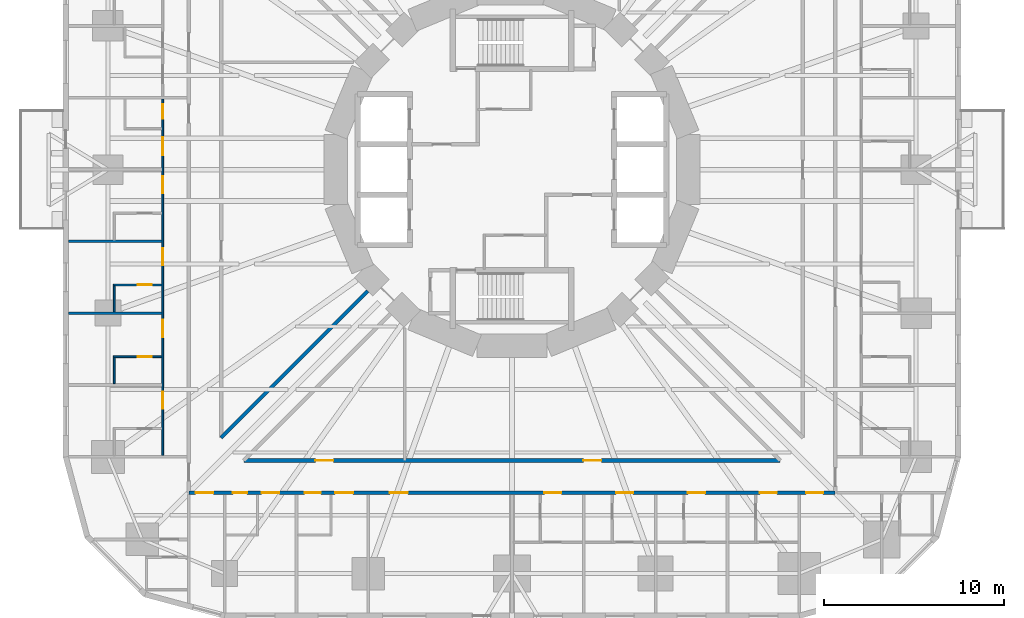
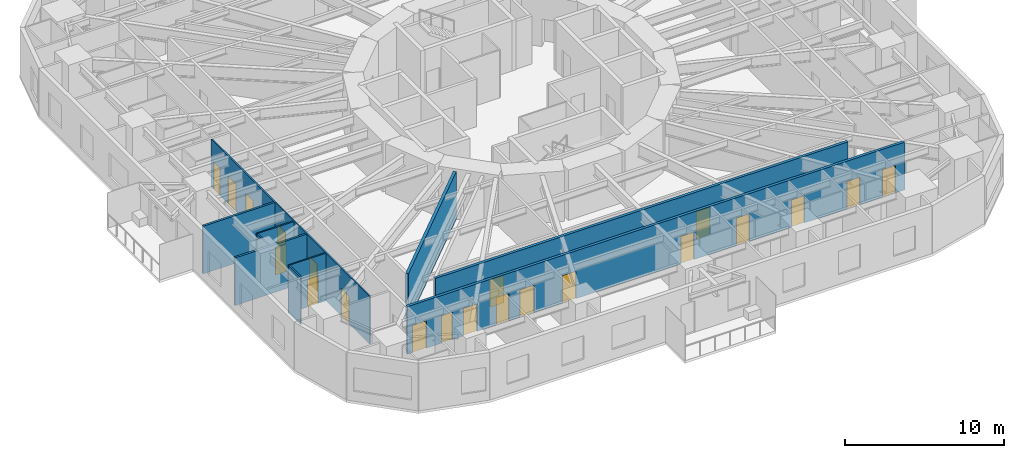
# One storey, part 5 of 14: 21 doors, 10 walls, 21 openings.
"""IFC4 building model written with IfcOpenShell, lengths in metres."""

from ifc_helpers import new_model, si_unit, direction, frame, frame_2d, origin, place, context, subcontext, project, spatial, rectangle, extrude, material, layer, layer_set, type_object, element, fill, save


model = new_model("IFC4")

# Units and contexts
model_context = context("Model", 3, precision=1e-05, world=origin(), true_north=direction((0.0, 1.0)))
body_context = subcontext(model_context, "Body", "Model", "MODEL_VIEW")
ifc_project = project(units=[si_unit("LENGTHUNIT", "METRE"), si_unit("AREAUNIT", "SQUARE_METRE"), si_unit("VOLUMEUNIT", "CUBIC_METRE"), si_unit("PLANEANGLEUNIT", "RADIAN"), si_unit("MASSUNIT", "GRAM", prefix="KILO")], contexts=[model_context])

# Site, building, storey
site_placement = place(None, origin())
site = spatial("IfcSite", under=ifc_project, at=site_placement, CompositionType="ELEMENT")
building_placement = place(site_placement, origin())
building = spatial("IfcBuilding", under=site, at=building_placement, Name="Nakasero Lantern House", CompositionType="ELEMENT")
storey_placement = place(building_placement, frame((0.0, 0.0, 23.699951171875)))
storey = spatial("IfcBuildingStorey", under=building, at=storey_placement, Name="L05", CompositionType="ELEMENT", Elevation=23.699951171875)

# Wall, openings, doors
ifc_material_1 = material(Name="Blockwork", Category="masonry")
ifc_layer_1 = layer(ifc_material_1, 0.10009765625)
ifc_layer_set_1 = layer_set([ifc_layer_1], Name="Cluster hall wall 100")
wall_type_1 = type_object("IfcWallType", Name="Cluster hall wall 100", PredefinedType="PARTITIONING", material=ifc_layer_set_1)
wall_1_placement = place(storey_placement, frame((-19.449951171875, 3.925048828125, 0.0), z_axis=(0.0, 0.0, 1.0), x_axis=(0.0, -1.0, 0.0)))
wall_1 = element("IfcWall", 1, at=wall_1_placement, inside=storey, type_object=wall_type_1, Name="Cluster hall wall L05 HW2-1", PredefinedType="PARTITIONING", context=body_context, shape_type="SweptSolid", body=[
    extrude(rectangle(XDim=19.85009765625, YDim=0.10009765625, at=frame_2d((9.925048828125, 0.0))), origin(), (0.0, 0.0, 1.0), 3.650146484375),
])
opening_1_placement = place(wall_1_placement, frame((2.125, 0.0, 0.0)))
opening_1 = element("IfcOpeningElement", 2, at=opening_1_placement, cuts=wall_1, Name="Opening D03", PredefinedType="OPENING", context=body_context, shape_type="SweptSolid", body=[
    extrude(rectangle(XDim=1.0, YDim=2.10009765625, at=frame_2d((0.5, 1.050048828125))), frame((0.0, 0.070068359375, 0.0), z_axis=(0.0, -1.0, 0.0), x_axis=(1.0, 0.0, 0.0)), (0.0, 0.0, 1.0), 0.14013671875),
])
opening_2_placement = place(wall_1_placement, frame((0.300048828125, 0.0, 0.0)))
opening_2 = element("IfcOpeningElement", 3, at=opening_2_placement, cuts=wall_1, Name="Opening D02", PredefinedType="OPENING", context=body_context, shape_type="SweptSolid", body=[
    extrude(rectangle(XDim=0.800048828125, YDim=2.10009765625, at=frame_2d((0.39990234375, 1.050048828125))), frame((0.0, 0.070068359375, 0.0), z_axis=(0.0, -1.0, 0.0), x_axis=(1.0, 0.0, 0.0)), (0.0, 0.0, 1.0), 0.14013671875),
])
opening_3_placement = place(wall_1_placement, frame((4.300048828125, 0.0, 0.0)))
opening_3 = element("IfcOpeningElement", 4, at=opening_3_placement, cuts=wall_1, Name="Opening D01", PredefinedType="OPENING", context=body_context, shape_type="SweptSolid", body=[
    extrude(rectangle(XDim=0.949951171875, YDim=2.10009765625, at=frame_2d((0.47509765625, 1.050048828125))), frame((0.0, 0.070068359375, 0.0), z_axis=(0.0, -1.0, 0.0), x_axis=(1.0, 0.0, 0.0)), (0.0, 0.0, 1.0), 0.14013671875),
])
opening_4_placement = place(wall_1_placement, frame((8.300048828125, 0.0, 0.0)))
opening_4 = element("IfcOpeningElement", 5, at=opening_4_placement, cuts=wall_1, Name="Opening D01", PredefinedType="OPENING", context=body_context, shape_type="SweptSolid", body=[
    extrude(rectangle(XDim=0.949951171875, YDim=2.10009765625, at=frame_2d((0.47509765625, 1.050048828125))), frame((0.0, 0.070068359375, 0.0), z_axis=(0.0, -1.0, 0.0), x_axis=(1.0, 0.0, 0.0)), (0.0, 0.0, 1.0), 0.14013671875),
])
opening_5_placement = place(wall_1_placement, frame((12.300048828125, 0.0, 0.0)))
opening_5 = element("IfcOpeningElement", 6, at=opening_5_placement, cuts=wall_1, Name="Opening D01", PredefinedType="OPENING", context=body_context, shape_type="SweptSolid", body=[
    extrude(rectangle(XDim=0.949951171875, YDim=2.10009765625, at=frame_2d((0.47509765625, 1.050048828125))), frame((0.0, 0.070068359375, 0.0), z_axis=(0.0, -1.0, 0.0), x_axis=(1.0, 0.0, 0.0)), (0.0, 0.0, 1.0), 0.14013671875),
])
opening_6_placement = place(wall_1_placement, frame((16.300048828125, 0.0, 0.0)))
opening_6 = element("IfcOpeningElement", 7, at=opening_6_placement, cuts=wall_1, Name="Opening D01", PredefinedType="OPENING", context=body_context, shape_type="SweptSolid", body=[
    extrude(rectangle(XDim=0.949951171875, YDim=2.10009765625, at=frame_2d((0.47509765625, 1.050048828125))), frame((0.0, 0.070068359375, 0.0), z_axis=(0.0, -1.0, 0.0), x_axis=(1.0, 0.0, 0.0)), (0.0, 0.0, 1.0), 0.14013671875),
])
ifc_material_2 = material(Name="Timber C24", Category="wood")
door_type_1 = type_object("IfcDoorType", Name="Bedroom door FD30S 950", OperationType="SINGLE_SWING_LEFT", PredefinedType="DOOR", material=ifc_material_2)
door_1_placement = place(opening_3_placement, origin())
door_1 = element("IfcDoor", 8, at=door_1_placement, inside=storey, type_object=door_type_1, Name="Door L05 D2-05", OperationType="SINGLE_SWING_LEFT", OverallHeight=2.10009765625, OverallWidth=0.949951171875, PredefinedType="DOOR", context=body_context, shape_type="SweptSolid", body=[
    extrude(rectangle(XDim=0.949951171875, YDim=2.10009765625, at=frame_2d((0.47509765625, 1.050048828125))), frame((0.0, 0.02490234375, 0.0), z_axis=(0.0, -1.0, 0.0), x_axis=(1.0, 0.0, 0.0)), (0.0, 0.0, 1.0), 0.050048828125),
])
fill(opening_3, door_1)
door_2_placement = place(opening_4_placement, origin())
door_2 = element("IfcDoor", 9, at=door_2_placement, inside=storey, type_object=door_type_1, Name="Door L05 D2-06", OperationType="SINGLE_SWING_LEFT", OverallHeight=2.10009765625, OverallWidth=0.949951171875, PredefinedType="DOOR", context=body_context, shape_type="SweptSolid", body=[
    extrude(rectangle(XDim=0.949951171875, YDim=2.10009765625, at=frame_2d((0.47509765625, 1.050048828125))), frame((0.0, 0.02490234375, 0.0), z_axis=(0.0, -1.0, 0.0), x_axis=(1.0, 0.0, 0.0)), (0.0, 0.0, 1.0), 0.050048828125),
])
fill(opening_4, door_2)
door_3_placement = place(opening_5_placement, origin())
door_3 = element("IfcDoor", 10, at=door_3_placement, inside=storey, type_object=door_type_1, Name="Door L05 D2-07", OperationType="SINGLE_SWING_RIGHT", OverallHeight=2.10009765625, OverallWidth=0.949951171875, PredefinedType="DOOR", context=body_context, shape_type="SweptSolid", body=[
    extrude(rectangle(XDim=0.949951171875, YDim=2.10009765625, at=frame_2d((0.47509765625, 1.050048828125))), frame((0.0, 0.02490234375, 0.0), z_axis=(0.0, -1.0, 0.0), x_axis=(1.0, 0.0, 0.0)), (0.0, 0.0, 1.0), 0.050048828125),
])
fill(opening_5, door_3)
door_4_placement = place(opening_6_placement, origin())
door_4 = element("IfcDoor", 11, at=door_4_placement, inside=storey, type_object=door_type_1, Name="Door L05 D2-08", OperationType="SINGLE_SWING_RIGHT", OverallHeight=2.10009765625, OverallWidth=0.949951171875, PredefinedType="DOOR", context=body_context, shape_type="SweptSolid", body=[
    extrude(rectangle(XDim=0.949951171875, YDim=2.10009765625, at=frame_2d((0.47509765625, 1.050048828125))), frame((0.0, 0.02490234375, 0.0), z_axis=(0.0, -1.0, 0.0), x_axis=(1.0, 0.0, 0.0)), (0.0, 0.0, 1.0), 0.050048828125),
])
fill(opening_6, door_4)
ifc_material_3 = material(Name="Timber C24", Category="wood")
door_type_2 = type_object("IfcDoorType", Name="En-suite door 800", OperationType="SINGLE_SWING_RIGHT", PredefinedType="DOOR", material=ifc_material_3)
door_5_placement = place(opening_2_placement, origin())
door_5 = element("IfcDoor", 12, at=door_5_placement, inside=storey, type_object=door_type_2, Name="Door L05 DSH2-1", OperationType="SINGLE_SWING_LEFT", OverallHeight=2.10009765625, OverallWidth=0.800048828125, PredefinedType="DOOR", context=body_context, shape_type="SweptSolid", body=[
    extrude(rectangle(XDim=0.800048828125, YDim=2.10009765625, at=frame_2d((0.39990234375, 1.050048828125))), frame((0.0, 0.02490234375, 0.0), z_axis=(0.0, -1.0, 0.0), x_axis=(1.0, 0.0, 0.0)), (0.0, 0.0, 1.0), 0.050048828125),
])
fill(opening_2, door_5)
ifc_material_4 = material(Name="Timber C24", Category="wood")
door_type_3 = type_object("IfcDoorType", Name="Lounge door FD30S 1000", OperationType="SINGLE_SWING_LEFT", PredefinedType="DOOR", material=ifc_material_4)
door_6_placement = place(opening_1_placement, origin())
door_6 = element("IfcDoor", 13, at=door_6_placement, inside=storey, type_object=door_type_3, Name="Door L05 DH2-1", OperationType="SINGLE_SWING_LEFT", OverallHeight=2.10009765625, OverallWidth=1.0, PredefinedType="DOOR", context=body_context, shape_type="SweptSolid", body=[
    extrude(rectangle(XDim=1.0, YDim=2.10009765625, at=frame_2d((0.5, 1.050048828125))), frame((0.0, 0.02490234375, 0.0), z_axis=(0.0, -1.0, 0.0), x_axis=(1.0, 0.0, 0.0)), (0.0, 0.0, 1.0), 0.050048828125),
])
fill(opening_1, door_6)

ifc_material_5 = material(Name="Blockwork", Category="masonry")
ifc_layer_2 = layer(ifc_material_5, 0.199951171875)
ifc_layer_set_2 = layer_set([ifc_layer_2], Name="Corridor wall 200")
wall_type_2 = type_object("IfcWallType", Name="Corridor wall 200", PredefinedType="PARTITIONING", material=ifc_layer_set_2)
wall_2_placement = place(storey_placement, frame((-18.0, -18.0, 0.0), z_axis=(0.0, 0.0, 1.0), x_axis=(1.0, 0.0, 0.0)))
wall_2 = element("IfcWall", 14, at=wall_2_placement, inside=storey, type_object=wall_type_2, Name="Corridor wall L05 CW3", PredefinedType="PARTITIONING", context=body_context, shape_type="SweptSolid", body=[
    extrude(rectangle(XDim=36.0, YDim=0.199951171875, at=frame_2d((18.0, 0.0))), origin(), (0.0, 0.0, 1.0), 3.650146484375),
])
opening_7_placement = place(wall_2_placement, frame((0.375, 0.0, 0.0)))
opening_7 = element("IfcOpeningElement", 15, at=opening_7_placement, cuts=wall_2, Name="Opening D07", PredefinedType="OPENING", context=body_context, shape_type="SweptSolid", body=[
    extrude(rectangle(XDim=1.0, YDim=2.10009765625, at=frame_2d((0.5, 1.050048828125))), frame((0.0, 0.119873046875, 0.0), z_axis=(0.0, -1.0, 0.0), x_axis=(1.0, 0.0, 0.0)), (0.0, 0.0, 1.0), 0.239990234375),
])
opening_8_placement = place(wall_2_placement, frame((2.449951171875, 0.0, 0.0)))
opening_8 = element("IfcOpeningElement", 16, at=opening_8_placement, cuts=wall_2, Name="Opening D15", PredefinedType="OPENING", context=body_context, shape_type="SweptSolid", body=[
    extrude(rectangle(XDim=0.800048828125, YDim=2.10009765625, at=frame_2d((0.39990234375, 1.050048828125))), frame((0.0, 0.119873046875, 0.0), z_axis=(0.0, -1.0, 0.0), x_axis=(1.0, 0.0, 0.0)), (0.0, 0.0, 1.0), 0.239990234375),
])
opening_9_placement = place(wall_2_placement, frame((4.050048828125, 0.0, 0.0)))
opening_9 = element("IfcOpeningElement", 17, at=opening_9_placement, cuts=wall_2, Name="Opening D07", PredefinedType="OPENING", context=body_context, shape_type="SweptSolid", body=[
    extrude(rectangle(XDim=1.0, YDim=2.10009765625, at=frame_2d((0.5, 1.050048828125))), frame((0.0, 0.119873046875, 0.0), z_axis=(0.0, -1.0, 0.0), x_axis=(1.0, 0.0, 0.0)), (0.0, 0.0, 1.0), 0.239990234375),
])
opening_10_placement = place(wall_2_placement, frame((6.449951171875, 0.0, 0.0)))
opening_10 = element("IfcOpeningElement", 18, at=opening_10_placement, cuts=wall_2, Name="Opening D16", PredefinedType="OPENING", context=body_context, shape_type="SweptSolid", body=[
    extrude(rectangle(XDim=0.89990234375, YDim=2.10009765625, at=frame_2d((0.449951171875, 1.050048828125))), frame((0.0, 0.119873046875, 0.0), z_axis=(0.0, -1.0, 0.0), x_axis=(1.0, 0.0, 0.0)), (0.0, 0.0, 1.0), 0.239990234375),
])
opening_11_placement = place(wall_2_placement, frame((8.14990234375, 0.0, 0.0)))
opening_11 = element("IfcOpeningElement", 19, at=opening_11_placement, cuts=wall_2, Name="Opening D07", PredefinedType="OPENING", context=body_context, shape_type="SweptSolid", body=[
    extrude(rectangle(XDim=1.0, YDim=2.10009765625, at=frame_2d((0.5, 1.050048828125))), frame((0.0, 0.119873046875, 0.0), z_axis=(0.0, -1.0, 0.0), x_axis=(1.0, 0.0, 0.0)), (0.0, 0.0, 1.0), 0.239990234375),
])
opening_12_placement = place(wall_2_placement, frame((19.800048828125, 0.0, 0.0)))
opening_12 = element("IfcOpeningElement", 20, at=opening_12_placement, cuts=wall_2, Name="Opening D01", PredefinedType="OPENING", context=body_context, shape_type="SweptSolid", body=[
    extrude(rectangle(XDim=0.949951171875, YDim=2.10009765625, at=frame_2d((0.47509765625, 1.050048828125))), frame((0.0, 0.119873046875, 0.0), z_axis=(0.0, -1.0, 0.0), x_axis=(1.0, 0.0, 0.0)), (0.0, 0.0, 1.0), 0.239990234375),
])
opening_13_placement = place(wall_2_placement, frame((23.800048828125, 0.0, 0.0)))
opening_13 = element("IfcOpeningElement", 21, at=opening_13_placement, cuts=wall_2, Name="Opening D01", PredefinedType="OPENING", context=body_context, shape_type="SweptSolid", body=[
    extrude(rectangle(XDim=0.949951171875, YDim=2.10009765625, at=frame_2d((0.47509765625, 1.050048828125))), frame((0.0, 0.119873046875, 0.0), z_axis=(0.0, -1.0, 0.0), x_axis=(1.0, 0.0, 0.0)), (0.0, 0.0, 1.0), 0.239990234375),
])
opening_14_placement = place(wall_2_placement, frame((27.800048828125, 0.0, 0.0)))
opening_14 = element("IfcOpeningElement", 22, at=opening_14_placement, cuts=wall_2, Name="Opening D01", PredefinedType="OPENING", context=body_context, shape_type="SweptSolid", body=[
    extrude(rectangle(XDim=0.949951171875, YDim=2.10009765625, at=frame_2d((0.47509765625, 1.050048828125))), frame((0.0, 0.119873046875, 0.0), z_axis=(0.0, -1.0, 0.0), x_axis=(1.0, 0.0, 0.0)), (0.0, 0.0, 1.0), 0.239990234375),
])
opening_15_placement = place(wall_2_placement, frame((31.800048828125, 0.0, 0.0)))
opening_15 = element("IfcOpeningElement", 23, at=opening_15_placement, cuts=wall_2, Name="Opening D01", PredefinedType="OPENING", context=body_context, shape_type="SweptSolid", body=[
    extrude(rectangle(XDim=0.949951171875, YDim=2.10009765625, at=frame_2d((0.47509765625, 1.050048828125))), frame((0.0, 0.119873046875, 0.0), z_axis=(0.0, -1.0, 0.0), x_axis=(1.0, 0.0, 0.0)), (0.0, 0.0, 1.0), 0.239990234375),
])
opening_16_placement = place(wall_2_placement, frame((34.375, 0.0, 0.0)))
opening_16 = element("IfcOpeningElement", 24, at=opening_16_placement, cuts=wall_2, Name="Opening D01", PredefinedType="OPENING", context=body_context, shape_type="SweptSolid", body=[
    extrude(rectangle(XDim=0.949951171875, YDim=2.10009765625, at=frame_2d((0.47509765625, 1.050048828125))), frame((0.0, 0.119873046875, 0.0), z_axis=(0.0, -1.0, 0.0), x_axis=(1.0, 0.0, 0.0)), (0.0, 0.0, 1.0), 0.239990234375),
])
opening_17_placement = place(wall_2_placement, frame((11.199951171875, 0.0, 0.0)))
opening_17 = element("IfcOpeningElement", 25, at=opening_17_placement, cuts=wall_2, Name="Opening D03", PredefinedType="OPENING", context=body_context, shape_type="SweptSolid", body=[
    extrude(rectangle(XDim=1.0, YDim=2.10009765625, at=frame_2d((0.5, 1.050048828125))), frame((0.0, 0.119873046875, 0.0), z_axis=(0.0, -1.0, 0.0), x_axis=(1.0, 0.0, 0.0)), (0.0, 0.0, 1.0), 0.239990234375),
])
ifc_material_6 = material(Name="Timber C24", Category="wood")
door_type_4 = type_object("IfcDoorType", Name="Accessible WC door 900", OperationType="SINGLE_SWING_RIGHT", PredefinedType="DOOR", material=ifc_material_6)
door_7_placement = place(opening_10_placement, origin())
door_7 = element("IfcDoor", 26, at=door_7_placement, inside=storey, type_object=door_type_4, Name="Door L05 DS3-02", OperationType="SINGLE_SWING_LEFT", OverallHeight=2.10009765625, OverallWidth=0.89990234375, PredefinedType="DOOR", context=body_context, shape_type="SweptSolid", body=[
    extrude(rectangle(XDim=0.89990234375, YDim=2.10009765625, at=frame_2d((0.449951171875, 1.050048828125))), frame((0.0, 0.02490234375, 0.0), z_axis=(0.0, -1.0, 0.0), x_axis=(1.0, 0.0, 0.0)), (0.0, 0.0, 1.0), 0.050048828125),
])
fill(opening_10, door_7)
door_8_placement = place(opening_12_placement, origin())
door_8 = element("IfcDoor", 27, at=door_8_placement, inside=storey, type_object=door_type_1, Name="Door L05 D3-05", OperationType="SINGLE_SWING_RIGHT", OverallHeight=2.10009765625, OverallWidth=0.949951171875, PredefinedType="DOOR", context=body_context, shape_type="SweptSolid", body=[
    extrude(rectangle(XDim=0.949951171875, YDim=2.10009765625, at=frame_2d((0.47509765625, 1.050048828125))), frame((0.0, 0.02490234375, 0.0), z_axis=(0.0, -1.0, 0.0), x_axis=(1.0, 0.0, 0.0)), (0.0, 0.0, 1.0), 0.050048828125),
])
fill(opening_12, door_8)
door_9_placement = place(opening_13_placement, origin())
door_9 = element("IfcDoor", 28, at=door_9_placement, inside=storey, type_object=door_type_1, Name="Door L05 D3-06", OperationType="SINGLE_SWING_RIGHT", OverallHeight=2.10009765625, OverallWidth=0.949951171875, PredefinedType="DOOR", context=body_context, shape_type="SweptSolid", body=[
    extrude(rectangle(XDim=0.949951171875, YDim=2.10009765625, at=frame_2d((0.47509765625, 1.050048828125))), frame((0.0, 0.02490234375, 0.0), z_axis=(0.0, -1.0, 0.0), x_axis=(1.0, 0.0, 0.0)), (0.0, 0.0, 1.0), 0.050048828125),
])
fill(opening_13, door_9)
door_10_placement = place(opening_14_placement, origin())
door_10 = element("IfcDoor", 29, at=door_10_placement, inside=storey, type_object=door_type_1, Name="Door L05 D3-07", OperationType="SINGLE_SWING_RIGHT", OverallHeight=2.10009765625, OverallWidth=0.949951171875, PredefinedType="DOOR", context=body_context, shape_type="SweptSolid", body=[
    extrude(rectangle(XDim=0.949951171875, YDim=2.10009765625, at=frame_2d((0.47509765625, 1.050048828125))), frame((0.0, 0.02490234375, 0.0), z_axis=(0.0, -1.0, 0.0), x_axis=(1.0, 0.0, 0.0)), (0.0, 0.0, 1.0), 0.050048828125),
])
fill(opening_14, door_10)
door_11_placement = place(opening_15_placement, origin())
door_11 = element("IfcDoor", 30, at=door_11_placement, inside=storey, type_object=door_type_1, Name="Door L05 D3-08", OperationType="SINGLE_SWING_RIGHT", OverallHeight=2.10009765625, OverallWidth=0.949951171875, PredefinedType="DOOR", context=body_context, shape_type="SweptSolid", body=[
    extrude(rectangle(XDim=0.949951171875, YDim=2.10009765625, at=frame_2d((0.47509765625, 1.050048828125))), frame((0.0, 0.02490234375, 0.0), z_axis=(0.0, -1.0, 0.0), x_axis=(1.0, 0.0, 0.0)), (0.0, 0.0, 1.0), 0.050048828125),
])
fill(opening_15, door_11)
door_12_placement = place(opening_16_placement, origin())
door_12 = element("IfcDoor", 31, at=door_12_placement, inside=storey, type_object=door_type_1, Name="Door L05 D3-09", OperationType="SINGLE_SWING_RIGHT", OverallHeight=2.10009765625, OverallWidth=0.949951171875, PredefinedType="DOOR", context=body_context, shape_type="SweptSolid", body=[
    extrude(rectangle(XDim=0.949951171875, YDim=2.10009765625, at=frame_2d((0.47509765625, 1.050048828125))), frame((0.0, 0.02490234375, 0.0), z_axis=(0.0, -1.0, 0.0), x_axis=(1.0, 0.0, 0.0)), (0.0, 0.0, 1.0), 0.050048828125),
])
fill(opening_16, door_12)
ifc_material_7 = material(Name="Timber C24", Category="wood")
door_type_5 = type_object("IfcDoorType", Name="Cleaner's store door FD30S 800", OperationType="SINGLE_SWING_LEFT", PredefinedType="DOOR", material=ifc_material_7)
door_13_placement = place(opening_8_placement, origin())
door_13 = element("IfcDoor", 32, at=door_13_placement, inside=storey, type_object=door_type_5, Name="Door L05 DS3-01", OperationType="SINGLE_SWING_LEFT", OverallHeight=2.10009765625, OverallWidth=0.800048828125, PredefinedType="DOOR", context=body_context, shape_type="SweptSolid", body=[
    extrude(rectangle(XDim=0.800048828125, YDim=2.10009765625, at=frame_2d((0.39990234375, 1.050048828125))), frame((0.0, 0.02490234375, 0.0), z_axis=(0.0, -1.0, 0.0), x_axis=(1.0, 0.0, 0.0)), (0.0, 0.0, 1.0), 0.050048828125),
])
fill(opening_8, door_13)
door_14_placement = place(opening_17_placement, origin())
door_14 = element("IfcDoor", 33, at=door_14_placement, inside=storey, type_object=door_type_3, Name="Door L05 DK3", OperationType="SINGLE_SWING_LEFT", OverallHeight=2.10009765625, OverallWidth=1.0, PredefinedType="DOOR", context=body_context, shape_type="SweptSolid", body=[
    extrude(rectangle(XDim=1.0, YDim=2.10009765625, at=frame_2d((0.5, 1.050048828125))), frame((0.0, 0.02490234375, 0.0), z_axis=(0.0, -1.0, 0.0), x_axis=(1.0, 0.0, 0.0)), (0.0, 0.0, 1.0), 0.050048828125),
])
fill(opening_17, door_14)
ifc_material_8 = material(Name="Timber C24", Category="wood")
door_type_6 = type_object("IfcDoorType", Name="Room door FD30S 1000", OperationType="SINGLE_SWING_LEFT", PredefinedType="DOOR", material=ifc_material_8)
door_15_placement = place(opening_7_placement, origin())
door_15 = element("IfcDoor", 34, at=door_15_placement, inside=storey, type_object=door_type_6, Name="Door L05 D3-00", OperationType="SINGLE_SWING_LEFT", OverallHeight=2.10009765625, OverallWidth=1.0, PredefinedType="DOOR", context=body_context, shape_type="SweptSolid", body=[
    extrude(rectangle(XDim=1.0, YDim=2.10009765625, at=frame_2d((0.5, 1.050048828125))), frame((0.0, 0.02490234375, 0.0), z_axis=(0.0, -1.0, 0.0), x_axis=(1.0, 0.0, 0.0)), (0.0, 0.0, 1.0), 0.050048828125),
])
fill(opening_7, door_15)
door_16_placement = place(opening_9_placement, origin())
door_16 = element("IfcDoor", 35, at=door_16_placement, inside=storey, type_object=door_type_6, Name="Door L05 D3-01", OperationType="SINGLE_SWING_LEFT", OverallHeight=2.10009765625, OverallWidth=1.0, PredefinedType="DOOR", context=body_context, shape_type="SweptSolid", body=[
    extrude(rectangle(XDim=1.0, YDim=2.10009765625, at=frame_2d((0.5, 1.050048828125))), frame((0.0, 0.02490234375, 0.0), z_axis=(0.0, -1.0, 0.0), x_axis=(1.0, 0.0, 0.0)), (0.0, 0.0, 1.0), 0.050048828125),
])
fill(opening_9, door_16)
door_17_placement = place(opening_11_placement, origin())
door_17 = element("IfcDoor", 36, at=door_17_placement, inside=storey, type_object=door_type_6, Name="Door L05 D3-02", OperationType="SINGLE_SWING_LEFT", OverallHeight=2.10009765625, OverallWidth=1.0, PredefinedType="DOOR", context=body_context, shape_type="SweptSolid", body=[
    extrude(rectangle(XDim=1.0, YDim=2.10009765625, at=frame_2d((0.5, 1.050048828125))), frame((0.0, 0.02490234375, 0.0), z_axis=(0.0, -1.0, 0.0), x_axis=(1.0, 0.0, 0.0)), (0.0, 0.0, 1.0), 0.050048828125),
])
fill(opening_11, door_17)

wall_3_placement = place(storey_placement, frame((-14.92724609375, -16.199951171875, 0.0), z_axis=(0.0, 0.0, 1.0), x_axis=(1.0, 0.0, 0.0)))
wall_3 = element("IfcWall", 37, at=wall_3_placement, inside=storey, type_object=wall_type_2, Name="Corridor wall L05 IW3-0", PredefinedType="PARTITIONING", context=body_context, shape_type="SweptSolid", body=[
    extrude(rectangle(XDim=29.8544921875, YDim=0.199951171875, at=frame_2d((14.92724609375, 0.0))), origin(), (0.0, 0.0, 1.0), 3.650146484375),
])
opening_18_placement = place(wall_3_placement, frame((3.978271484375, 0.0, 0.0)))
opening_18 = element("IfcOpeningElement", 38, at=opening_18_placement, cuts=wall_3, Name="Opening D07", PredefinedType="OPENING", context=body_context, shape_type="SweptSolid", body=[
    extrude(rectangle(XDim=1.0, YDim=2.10009765625, at=frame_2d((0.5, 1.050048828125))), frame((0.0, 0.119873046875, 0.0), z_axis=(0.0, -1.0, 0.0), x_axis=(1.0, 0.0, 0.0)), (0.0, 0.0, 1.0), 0.239990234375),
])
opening_19_placement = place(wall_3_placement, frame((18.9052734375, 0.0, 0.0)))
opening_19 = element("IfcOpeningElement", 39, at=opening_19_placement, cuts=wall_3, Name="Opening D07", PredefinedType="OPENING", context=body_context, shape_type="SweptSolid", body=[
    extrude(rectangle(XDim=1.0, YDim=2.10009765625, at=frame_2d((0.5, 1.050048828125))), frame((0.0, 0.119873046875, 0.0), z_axis=(0.0, -1.0, 0.0), x_axis=(1.0, 0.0, 0.0)), (0.0, 0.0, 1.0), 0.239990234375),
])
door_18_placement = place(opening_18_placement, origin())
door_18 = element("IfcDoor", 40, at=door_18_placement, inside=storey, type_object=door_type_6, Name="Door L05 DI3", OperationType="SINGLE_SWING_LEFT", OverallHeight=2.10009765625, OverallWidth=1.0, PredefinedType="DOOR", context=body_context, shape_type="SweptSolid", body=[
    extrude(rectangle(XDim=1.0, YDim=2.10009765625, at=frame_2d((0.5, 1.050048828125))), frame((0.0, 0.02490234375, 0.0), z_axis=(0.0, -1.0, 0.0), x_axis=(1.0, 0.0, 0.0)), (0.0, 0.0, 1.0), 0.050048828125),
])
fill(opening_18, door_18)
door_19_placement = place(opening_19_placement, origin())
door_19 = element("IfcDoor", 41, at=door_19_placement, inside=storey, type_object=door_type_6, Name="Door L05 DI3S", OperationType="SINGLE_SWING_RIGHT", OverallHeight=2.10009765625, OverallWidth=1.0, PredefinedType="DOOR", context=body_context, shape_type="SweptSolid", body=[
    extrude(rectangle(XDim=1.0, YDim=2.10009765625, at=frame_2d((0.5, 1.050048828125))), frame((0.0, 0.02490234375, 0.0), z_axis=(0.0, -1.0, 0.0), x_axis=(1.0, 0.0, 0.0)), (0.0, 0.0, 1.0), 0.050048828125),
])
fill(opening_19, door_19)

# Wall
wall_4_placement = place(storey_placement, frame((-8.03125, -6.758544921875, 0.0), z_axis=(0.0, 0.0, 1.0), x_axis=(-0.707106781187, -0.707106781187, 0.0)))
element("IfcWall", 42, at=wall_4_placement, inside=storey, type_object=wall_type_2, Name="Corridor wall L05 PS10b", PredefinedType="PARTITIONING", context=body_context, shape_type="SweptSolid", body=[
    extrude(rectangle(XDim=11.55224609375, YDim=0.199951171875, at=frame_2d((5.776123046875, 0.0))), origin(), (0.0, 0.0, 1.0), 3.650146484375),
])

# Wall, opening, door
ifc_material_9 = material(Name="Blockwork", Category="masonry")
ifc_layer_3 = layer(ifc_material_9, 0.10009765625)
ifc_layer_set_3 = layer_set([ifc_layer_3], Name="En-suite wall 100")
wall_type_3 = type_object("IfcWallType", Name="En-suite wall 100", PredefinedType="PARTITIONING", material=ifc_layer_set_3)
wall_5_placement = place(storey_placement, frame((-19.5, -6.425048828125, 0.0), z_axis=(0.0, 0.0, 1.0), x_axis=(-1.0, 0.0, 0.0)))
wall_5 = element("IfcWall", 43, at=wall_5_placement, inside=storey, type_object=wall_type_3, Name="En-suite wall L05 ES2-06", PredefinedType="PARTITIONING", context=body_context, shape_type="SweptSolid", body=[
    extrude(rectangle(XDim=2.699951171875, YDim=0.10009765625, at=frame_2d((1.35009765625, 0.0))), origin(), (0.0, 0.0, 1.0), 3.650146484375),
])
opening_20_placement = place(wall_5_placement, frame((0.550048828125, 0.0, 0.0)))
opening_20 = element("IfcOpeningElement", 44, at=opening_20_placement, cuts=wall_5, Name="Opening D02", PredefinedType="OPENING", context=body_context, shape_type="SweptSolid", body=[
    extrude(rectangle(XDim=0.800048828125, YDim=2.10009765625, at=frame_2d((0.39990234375, 1.050048828125))), frame((0.0, 0.070068359375, 0.0), z_axis=(0.0, -1.0, 0.0), x_axis=(1.0, 0.0, 0.0)), (0.0, 0.0, 1.0), 0.14013671875),
])
door_20_placement = place(opening_20_placement, origin())
door_20 = element("IfcDoor", 45, at=door_20_placement, inside=storey, type_object=door_type_2, Name="Door L05 DE2-06", OperationType="SINGLE_SWING_LEFT", OverallHeight=2.10009765625, OverallWidth=0.800048828125, PredefinedType="DOOR", context=body_context, shape_type="SweptSolid", body=[
    extrude(rectangle(XDim=0.800048828125, YDim=2.10009765625, at=frame_2d((0.39990234375, 1.050048828125))), frame((0.0, 0.02490234375, 0.0), z_axis=(0.0, -1.0, 0.0), x_axis=(1.0, 0.0, 0.0)), (0.0, 0.0, 1.0), 0.050048828125),
])
fill(opening_20, door_20)

# Wall
wall_6_placement = place(storey_placement, frame((-22.14990234375, -6.47509765625, 0.0), z_axis=(0.0, 0.0, 1.0), x_axis=(0.0, -1.0, 0.0)))
element("IfcWall", 46, at=wall_6_placement, inside=storey, type_object=wall_type_3, Name="En-suite wall L05 EE2-06", PredefinedType="PARTITIONING", context=body_context, shape_type="SweptSolid", body=[
    extrude(rectangle(XDim=1.449951171875, YDim=0.10009765625, at=frame_2d((0.72509765625, 0.0))), origin(), (0.0, 0.0, 1.0), 3.650146484375),
])

# Wall, opening, door
wall_7_placement = place(storey_placement, frame((-19.5, -10.425048828125, 0.0), z_axis=(0.0, 0.0, 1.0), x_axis=(-1.0, 0.0, 0.0)))
wall_7 = element("IfcWall", 47, at=wall_7_placement, inside=storey, type_object=wall_type_3, Name="En-suite wall L05 ES2-07", PredefinedType="PARTITIONING", context=body_context, shape_type="SweptSolid", body=[
    extrude(rectangle(XDim=2.699951171875, YDim=0.10009765625, at=frame_2d((1.35009765625, 0.0))), origin(), (0.0, 0.0, 1.0), 3.650146484375),
])
opening_21_placement = place(wall_7_placement, frame((0.550048828125, 0.0, 0.0)))
opening_21 = element("IfcOpeningElement", 48, at=opening_21_placement, cuts=wall_7, Name="Opening D02", PredefinedType="OPENING", context=body_context, shape_type="SweptSolid", body=[
    extrude(rectangle(XDim=0.800048828125, YDim=2.10009765625, at=frame_2d((0.39990234375, 1.050048828125))), frame((0.0, 0.070068359375, 0.0), z_axis=(0.0, -1.0, 0.0), x_axis=(1.0, 0.0, 0.0)), (0.0, 0.0, 1.0), 0.14013671875),
])
door_21_placement = place(opening_21_placement, origin())
door_21 = element("IfcDoor", 49, at=door_21_placement, inside=storey, type_object=door_type_2, Name="Door L05 DE2-07", OperationType="SINGLE_SWING_LEFT", OverallHeight=2.10009765625, OverallWidth=0.800048828125, PredefinedType="DOOR", context=body_context, shape_type="SweptSolid", body=[
    extrude(rectangle(XDim=0.800048828125, YDim=2.10009765625, at=frame_2d((0.39990234375, 1.050048828125))), frame((0.0, 0.02490234375, 0.0), z_axis=(0.0, -1.0, 0.0), x_axis=(1.0, 0.0, 0.0)), (0.0, 0.0, 1.0), 0.050048828125),
])
fill(opening_21, door_21)

# Walls
wall_8_placement = place(storey_placement, frame((-22.14990234375, -10.47509765625, 0.0), z_axis=(0.0, 0.0, 1.0), x_axis=(0.0, -1.0, 0.0)))
element("IfcWall", 50, at=wall_8_placement, inside=storey, type_object=wall_type_3, Name="En-suite wall L05 EE2-07", PredefinedType="PARTITIONING", context=body_context, shape_type="SweptSolid", body=[
    extrude(rectangle(XDim=1.449951171875, YDim=0.10009765625, at=frame_2d((0.72509765625, 0.0))), origin(), (0.0, 0.0, 1.0), 3.650146484375),
])
ifc_material_10 = material(Name="Blockwork", Category="masonry")
ifc_layer_4 = layer(ifc_material_10, 0.14990234375)
ifc_layer_set_4 = layer_set([ifc_layer_4], Name="Party wall 150")
wall_type_4 = type_object("IfcWallType", Name="Party wall 150", PredefinedType="PARTITIONING", material=ifc_layer_set_4)
for number, where, z_axis, x_axis, name in (
    (51, (-19.5, -4.0, 0.0), (0.0, 0.0, 1.0), (-1.0, 0.0, 0.0), "Party wall L05 PW2-06"),
    (52, (-19.5, -8.0, 0.0), (0.0, 0.0, 1.0), (-1.0, 0.0, 0.0), "Party wall L05 PW2-07"),
):
    element("IfcWall", number, at=place(storey_placement, frame(where, z_axis=z_axis, x_axis=x_axis)), inside=storey, type_object=wall_type_4, Name=name, PredefinedType="PARTITIONING", context=body_context, shape_type="SweptSolid", body=[
        extrude(rectangle(XDim=5.199951171875, YDim=0.14990234375, at=frame_2d((2.60009765625, 0.0))), origin(), (0.0, 0.0, 1.0), 3.650146484375),
    ])

save(model, "model.ifc")
